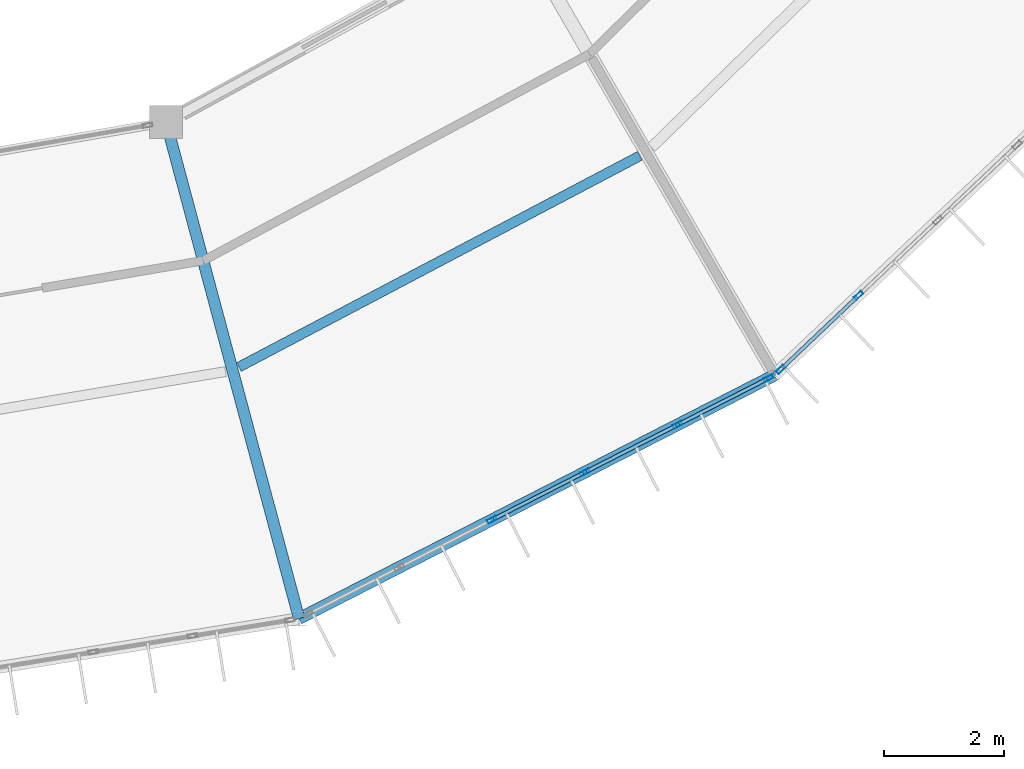
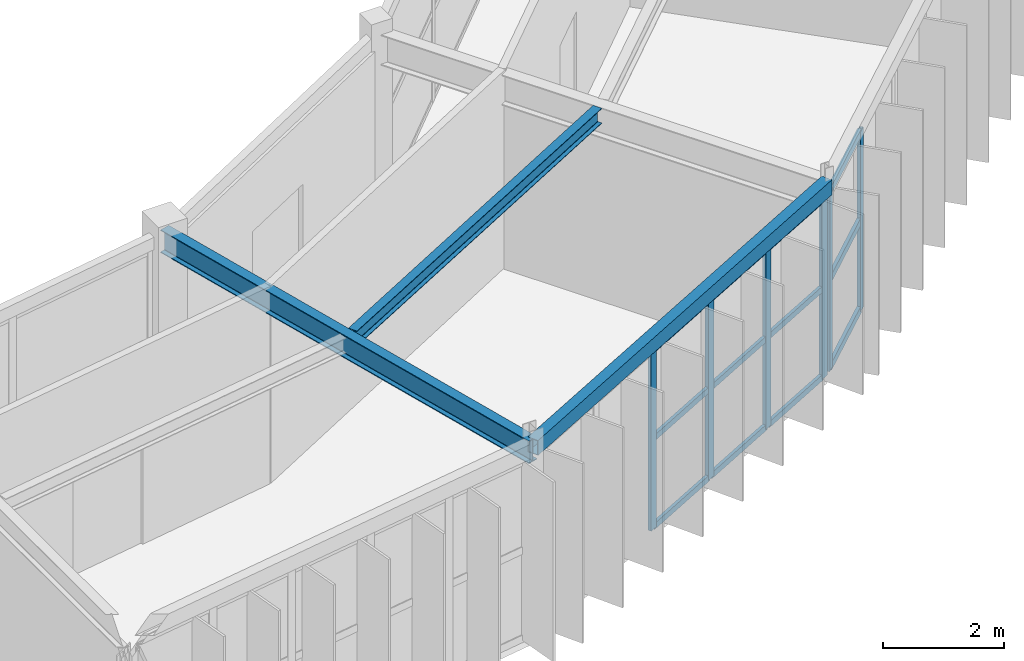
# One storey, part 45 of 134: 18 members, 3 beams, 2 elements without a shape of their own.
"""IFC4 building model written with IfcOpenShell, lengths in metres."""

from ifc_helpers import new_model, si_unit, direction, frame, origin, origin_2d, place, context, subcontext, project, spatial, hollow_rectangle, i_section, extrude, material, material_profile, profile_set, type_object, element, aggregate, save


model = new_model("IFC4")

# Units and contexts
model_context = context("Model", 3, precision=1e-05, world=origin(), true_north=direction((0.0, 1.0)))
body_context = subcontext(model_context, "Body", "Model", "MODEL_VIEW")
ifc_project = project(units=[si_unit("LENGTHUNIT", "METRE"), si_unit("AREAUNIT", "SQUARE_METRE"), si_unit("VOLUMEUNIT", "CUBIC_METRE"), si_unit("PLANEANGLEUNIT", "RADIAN"), si_unit("MASSUNIT", "GRAM", prefix="KILO")], contexts=[model_context])

# Site, building, storey
site_placement = place(None, origin())
site = spatial("IfcSite", under=ifc_project, at=site_placement, CompositionType="ELEMENT")
building_placement = place(site_placement, origin())
building = spatial("IfcBuilding", under=site, at=building_placement, Name="Karori Crest Natural Sciences Institute", CompositionType="ELEMENT")
storey_placement = place(building_placement, frame((0.0, 0.0, 21.699951171875)))
storey = spatial("IfcBuildingStorey", under=building, at=storey_placement, Name="L05", CompositionType="ELEMENT", Elevation=21.699951171875)

# Beams
ifc_material_1 = material(Name="Structural steel AS/NZS 3679.1 Grade 350", Category="steel")
ifc_material_profile_1 = material_profile(ifc_material_1, i_section(OverallWidth=0.19091796875, OverallDepth=0.4599609375, WebThickness=0.010009765625, FlangeThickness=0.01611328125, FilletRadius=0.010986328125, at=origin_2d()), Name="460UB82.1")
ifc_profile_set_1 = profile_set([ifc_material_profile_1], Name="Structural steel AS/NZS 3679.1 Grade 350")
beam_type_1 = type_object("IfcBeamType", Name="BT-06", PredefinedType="BEAM", material=ifc_profile_set_1)
beam_1_placement = place(storey_placement, frame((72.715087890625, 18.797119140625, 3.7099609375), z_axis=(0.258819806009, -0.965925622404, 0.0), x_axis=(0.965925622404, 0.258819806009, 0.0)))
element("IfcBeam", 1, at=beam_1_placement, inside=storey, type_object=beam_type_1, Name="Beam B-0602", PredefinedType="BEAM", context=body_context, shape_type="SweptSolid", body=[
    extrude(i_section(OverallWidth=0.19091796875, OverallDepth=0.4599609375, WebThickness=0.010009765625, FlangeThickness=0.01611328125, FilletRadius=0.010986328125, at=origin_2d()), origin(), (0.0, 0.0, 1.0), 8.599853515625),
])
ifc_material_profile_2 = material_profile(ifc_material_1, i_section(OverallWidth=0.166015625, OverallDepth=0.306884765625, WebThickness=0.006591796875, FlangeThickness=0.01171875, FilletRadius=0.010986328125, at=origin_2d()), Name="310UB46.2")
ifc_profile_set_2 = profile_set([ifc_material_profile_2], Name="Structural steel AS/NZS 3679.1 Grade 350")
beam_type_2 = type_object("IfcBeamType", Name="BT-09", PredefinedType="BEAM", material=ifc_profile_set_2)
beam_2_placement = place(storey_placement, frame((73.934326171875, 14.69970703125, 3.78662109375), z_axis=(0.884748465601, 0.466068828197, 0.0), x_axis=(-0.466068828197, 0.884748465601, 0.0)))
element("IfcBeam", 2, at=beam_2_placement, inside=storey, type_object=beam_type_2, Name="Beam B-0603", PredefinedType="BEAM", context=body_context, shape_type="SweptSolid", body=[
    extrude(i_section(OverallWidth=0.166015625, OverallDepth=0.306884765625, WebThickness=0.006591796875, FlangeThickness=0.01171875, FilletRadius=0.010986328125, at=origin_2d()), origin(), (0.0, 0.0, 1.0), 7.58349609375),
])
ifc_material_2 = material(Name="Hollow structural steel AS/NZS 1163 Grade C350", Category="steel")
ifc_material_profile_3 = material_profile(ifc_material_2, hollow_rectangle(XDim=0.199951171875, YDim=0.300048828125, WallThickness=0.010009765625, at=origin_2d()), Name="RHS300x200x10")
ifc_profile_set_3 = profile_set([ifc_material_profile_3], Name="Hollow structural steel AS/NZS 1163 Grade C350")
beam_type_3 = type_object("IfcBeamType", Name="BT-15", PredefinedType="SPANDREL", material=ifc_profile_set_3)
beam_3_placement = place(storey_placement, frame((74.94091796875, 10.490234375, 3.7900390625), z_axis=(0.890071733872, 0.455820478436, 0.0), x_axis=(-0.455820478436, 0.890071733872, 0.0)))
element("IfcBeam", 3, at=beam_3_placement, inside=storey, type_object=beam_type_3, Name="Beam B-0600", PredefinedType="SPANDREL", context=body_context, shape_type="SweptSolid", body=[
    extrude(hollow_rectangle(XDim=0.199951171875, YDim=0.300048828125, WallThickness=0.010009765625, at=origin_2d()), origin(), (0.0, 0.0, 1.0), 8.94189453125),
])

# Curtain wall, members
ifc_material_3 = material(Name="Anodised architectural aluminium 6063-T6", Category="aluminium")
curtain_wall_type_1 = type_object("IfcCurtainWallType", Name="CWT-10", PredefinedType="NOTDEFINED", material=ifc_material_3)
curtain_wall_1_placement = place(storey_placement, origin())
curtain_wall_1 = element("IfcCurtainWall", 4, at=curtain_wall_1_placement, inside=storey, type_object=curtain_wall_type_1, Name="Curtain wall CW-0201", PredefinedType="NOTDEFINED")
ifc_material_profile_4 = material_profile(ifc_material_3, hollow_rectangle(XDim=0.06494140625, YDim=0.159912109375, WallThickness=0.00390625, at=origin_2d()), Name="CWM160x65x4")
ifc_profile_set_4 = profile_set([ifc_material_profile_4], Name="Anodised architectural aluminium 6063-T6")
member_type_1 = type_object("IfcMemberType", Name="CWM-01", PredefinedType="MULLION", material=ifc_profile_set_4)
member_1_placement = place(storey_placement, frame((82.7958984375, 14.512939453125, 0.0), z_axis=(0.0, 0.0, 1.0), x_axis=(0.455828878252, -0.890067432138, 0.0)))
member_1 = element("IfcMember", 5, at=member_1_placement, type_object=member_type_1, Name="CW-0201 mullion 1", PredefinedType="MULLION", context=body_context, shape_type="SweptSolid", body=[
    extrude(hollow_rectangle(XDim=0.06494140625, YDim=0.159912109375, WallThickness=0.00390625, at=origin_2d()), origin(), (0.0, 0.0, 1.0), 3.625),
])
member_2_placement = place(storey_placement, frame((81.273193359375, 13.73291015625, 0.0), z_axis=(0.0, 0.0, 1.0), x_axis=(0.455828878252, -0.890067432138, 0.0)))
member_2 = element("IfcMember", 6, at=member_2_placement, type_object=member_type_1, Name="CW-0201 mullion 2", PredefinedType="MULLION", context=body_context, shape_type="SweptSolid", body=[
    extrude(hollow_rectangle(XDim=0.06494140625, YDim=0.159912109375, WallThickness=0.00390625, at=origin_2d()), origin(), (0.0, 0.0, 1.0), 3.625),
])
member_3_placement = place(storey_placement, frame((79.721435546875, 12.938232421875, 0.0), z_axis=(0.0, 0.0, 1.0), x_axis=(0.455828878252, -0.890067432138, 0.0)))
member_3 = element("IfcMember", 7, at=member_3_placement, type_object=member_type_1, Name="CW-0201 mullion 3", PredefinedType="MULLION", context=body_context, shape_type="SweptSolid", body=[
    extrude(hollow_rectangle(XDim=0.06494140625, YDim=0.159912109375, WallThickness=0.00390625, at=origin_2d()), origin(), (0.0, 0.0, 1.0), 3.625),
])
member_4_placement = place(storey_placement, frame((78.169677734375, 12.1435546875, 0.0), z_axis=(0.0, 0.0, 1.0), x_axis=(0.455828878252, -0.890067432138, 0.0)))
member_4 = element("IfcMember", 8, at=member_4_placement, type_object=member_type_1, Name="CW-0201 mullion 4", PredefinedType="MULLION", context=body_context, shape_type="SweptSolid", body=[
    extrude(hollow_rectangle(XDim=0.06494140625, YDim=0.159912109375, WallThickness=0.00390625, at=origin_2d()), origin(), (0.0, 0.0, 1.0), 3.625),
])

curtain_wall_type_2 = type_object("IfcCurtainWallType", Name="CWT-01", PredefinedType="NOTDEFINED", material=ifc_material_3)
curtain_wall_2_placement = place(storey_placement, origin())
curtain_wall_2 = element("IfcCurtainWall", 9, at=curtain_wall_2_placement, inside=storey, type_object=curtain_wall_type_2, Name="Curtain wall CW-0202", PredefinedType="NOTDEFINED")
member_5_placement = place(storey_placement, frame((84.302001953125, 15.896240234375, 0.0), z_axis=(0.0, 0.0, 1.0), x_axis=(0.688250542104, -0.725473081026, 0.0)))
member_5 = element("IfcMember", 10, at=member_5_placement, type_object=member_type_1, Name="CW-0202 mullion 5", PredefinedType="MULLION", context=body_context, shape_type="SweptSolid", body=[
    extrude(hollow_rectangle(XDim=0.06494140625, YDim=0.159912109375, WallThickness=0.00390625, at=origin_2d()), origin(), (0.0, 0.0, 1.0), 3.625),
])
member_6_placement = place(storey_placement, frame((82.9990234375, 14.66015625, 0.0), z_axis=(0.0, 0.0, 1.0), x_axis=(0.688250542104, -0.725473081026, 0.0)))
member_6 = element("IfcMember", 11, at=member_6_placement, type_object=member_type_1, Name="CW-0202 mullion 6", PredefinedType="MULLION", context=body_context, shape_type="SweptSolid", body=[
    extrude(hollow_rectangle(XDim=0.06494140625, YDim=0.159912109375, WallThickness=0.00390625, at=origin_2d()), origin(), (0.0, 0.0, 1.0), 3.625),
])

# Member
ifc_material_profile_5 = material_profile(ifc_material_3, hollow_rectangle(XDim=0.06005859375, YDim=0.1201171875, WallThickness=0.00390625, at=origin_2d()), Name="CWT120x60x4")
ifc_profile_set_5 = profile_set([ifc_material_profile_5], Name="Anodised architectural aluminium 6063-T6")
member_type_2 = type_object("IfcMemberType", Name="CWT-TR1", PredefinedType="USERDEFINED", material=ifc_profile_set_5)
member_7_placement = place(storey_placement, frame((82.766845703125, 14.498046875, 0.030029296875), z_axis=(-0.890053640935, -0.455855806432, 0.0), x_axis=(0.455855806432, -0.890053640935, 0.0)))
member_7 = element("IfcMember", 12, at=member_7_placement, type_object=member_type_2, Name="CW-0201 transom 1.1", ObjectType="TRANSOM", PredefinedType="USERDEFINED", context=body_context, shape_type="SweptSolid", body=[
    extrude(hollow_rectangle(XDim=0.06005859375, YDim=0.1201171875, WallThickness=0.00390625, at=origin_2d()), origin(), (0.0, 0.0, 1.0), 1.645751953125),
])

member_8_placement = place(storey_placement, frame((82.766845703125, 14.498046875, 1.8125), z_axis=(-0.890053640935, -0.455855806432, 0.0), x_axis=(0.455855806432, -0.890053640935, 0.0)))
member_8 = element("IfcMember", 13, at=member_8_placement, type_object=member_type_2, Name="CW-0201 transom 1.2", ObjectType="TRANSOM", PredefinedType="USERDEFINED", context=body_context, shape_type="SweptSolid", body=[
    extrude(hollow_rectangle(XDim=0.06005859375, YDim=0.1201171875, WallThickness=0.00390625, at=origin_2d()), origin(), (0.0, 0.0, 1.0), 1.645751953125),
])

member_9_placement = place(storey_placement, frame((82.766845703125, 14.498046875, 3.594970703125), z_axis=(-0.890053640935, -0.455855806432, 0.0), x_axis=(0.455855806432, -0.890053640935, 0.0)))
member_9 = element("IfcMember", 14, at=member_9_placement, type_object=member_type_2, Name="CW-0201 transom 1.3", ObjectType="TRANSOM", PredefinedType="USERDEFINED", context=body_context, shape_type="SweptSolid", body=[
    extrude(hollow_rectangle(XDim=0.06005859375, YDim=0.1201171875, WallThickness=0.00390625, at=origin_2d()), origin(), (0.0, 0.0, 1.0), 1.645751953125),
])

member_10_placement = place(storey_placement, frame((81.244140625, 13.71826171875, 0.030029296875), z_axis=(-0.890050562189, -0.455861817601, 0.0), x_axis=(0.455861817601, -0.890050562189, 0.0)))
member_10 = element("IfcMember", 15, at=member_10_placement, type_object=member_type_2, Name="CW-0201 transom 2.1", ObjectType="TRANSOM", PredefinedType="USERDEFINED", context=body_context, shape_type="SweptSolid", body=[
    extrude(hollow_rectangle(XDim=0.06005859375, YDim=0.1201171875, WallThickness=0.00390625, at=origin_2d()), origin(), (0.0, 0.0, 1.0), 1.678466796875),
])

member_11_placement = place(storey_placement, frame((81.244140625, 13.71826171875, 1.8125), z_axis=(-0.890050562189, -0.455861817601, 0.0), x_axis=(0.455861817601, -0.890050562189, 0.0)))
member_11 = element("IfcMember", 16, at=member_11_placement, type_object=member_type_2, Name="CW-0201 transom 2.2", ObjectType="TRANSOM", PredefinedType="USERDEFINED", context=body_context, shape_type="SweptSolid", body=[
    extrude(hollow_rectangle(XDim=0.06005859375, YDim=0.1201171875, WallThickness=0.00390625, at=origin_2d()), origin(), (0.0, 0.0, 1.0), 1.678466796875),
])

member_12_placement = place(storey_placement, frame((81.244140625, 13.71826171875, 3.594970703125), z_axis=(-0.890050562189, -0.455861817601, 0.0), x_axis=(0.455861817601, -0.890050562189, 0.0)))
member_12 = element("IfcMember", 17, at=member_12_placement, type_object=member_type_2, Name="CW-0201 transom 2.3", ObjectType="TRANSOM", PredefinedType="USERDEFINED", context=body_context, shape_type="SweptSolid", body=[
    extrude(hollow_rectangle(XDim=0.06005859375, YDim=0.1201171875, WallThickness=0.00390625, at=origin_2d()), origin(), (0.0, 0.0, 1.0), 1.678466796875),
])

member_13_placement = place(storey_placement, frame((79.6923828125, 12.923583984375, 0.030029296875), z_axis=(-0.890050562189, -0.455861817601, 0.0), x_axis=(0.455861817601, -0.890050562189, 0.0)))
member_13 = element("IfcMember", 18, at=member_13_placement, type_object=member_type_2, Name="CW-0201 transom 3.1", ObjectType="TRANSOM", PredefinedType="USERDEFINED", context=body_context, shape_type="SweptSolid", body=[
    extrude(hollow_rectangle(XDim=0.06005859375, YDim=0.1201171875, WallThickness=0.00390625, at=origin_2d()), origin(), (0.0, 0.0, 1.0), 1.678466796875),
])

member_14_placement = place(storey_placement, frame((79.6923828125, 12.923583984375, 1.8125), z_axis=(-0.890050562189, -0.455861817601, 0.0), x_axis=(0.455861817601, -0.890050562189, 0.0)))
member_14 = element("IfcMember", 19, at=member_14_placement, type_object=member_type_2, Name="CW-0201 transom 3.2", ObjectType="TRANSOM", PredefinedType="USERDEFINED", context=body_context, shape_type="SweptSolid", body=[
    extrude(hollow_rectangle(XDim=0.06005859375, YDim=0.1201171875, WallThickness=0.00390625, at=origin_2d()), origin(), (0.0, 0.0, 1.0), 1.678466796875),
])

member_15_placement = place(storey_placement, frame((79.6923828125, 12.923583984375, 3.594970703125), z_axis=(-0.890050562189, -0.455861817601, 0.0), x_axis=(0.455861817601, -0.890050562189, 0.0)))
member_15 = element("IfcMember", 20, at=member_15_placement, type_object=member_type_2, Name="CW-0201 transom 3.3", ObjectType="TRANSOM", PredefinedType="USERDEFINED", context=body_context, shape_type="SweptSolid", body=[
    extrude(hollow_rectangle(XDim=0.06005859375, YDim=0.1201171875, WallThickness=0.00390625, at=origin_2d()), origin(), (0.0, 0.0, 1.0), 1.678466796875),
])

aggregate(curtain_wall_1, [member_1, member_2, member_3, member_4, member_7, member_8, member_9, member_10, member_11, member_12, member_13, member_14, member_15])

ifc_material_profile_6 = material_profile(ifc_material_3, hollow_rectangle(XDim=0.06494140625, YDim=0.14990234375, WallThickness=0.00390625, at=origin_2d()), Name="CWT150x65x4")
ifc_profile_set_6 = profile_set([ifc_material_profile_6], Name="Anodised architectural aluminium 6063-T6")
member_type_3 = type_object("IfcMemberType", Name="CWT-TR2", PredefinedType="USERDEFINED", material=ifc_profile_set_6)
member_16_placement = place(storey_placement, frame((84.2783203125, 15.873779296875, 0.032470703125), z_axis=(-0.725481758098, -0.688241395636, 0.0), x_axis=(0.688241395636, -0.725481758098, 0.0)))
member_16 = element("IfcMember", 21, at=member_16_placement, type_object=member_type_3, Name="CW-0202 transom 5.1", ObjectType="TRANSOM", PredefinedType="USERDEFINED", context=body_context, shape_type="SweptSolid", body=[
    extrude(hollow_rectangle(XDim=0.06494140625, YDim=0.14990234375, WallThickness=0.00390625, at=origin_2d()), origin(), (0.0, 0.0, 1.0), 1.730712890625),
])

member_17_placement = place(storey_placement, frame((84.2783203125, 15.873779296875, 1.8125), z_axis=(-0.725481758098, -0.688241395636, 0.0), x_axis=(0.688241395636, -0.725481758098, 0.0)))
member_17 = element("IfcMember", 22, at=member_17_placement, type_object=member_type_3, Name="CW-0202 transom 5.2", ObjectType="TRANSOM", PredefinedType="USERDEFINED", context=body_context, shape_type="SweptSolid", body=[
    extrude(hollow_rectangle(XDim=0.06494140625, YDim=0.14990234375, WallThickness=0.00390625, at=origin_2d()), origin(), (0.0, 0.0, 1.0), 1.730712890625),
])

member_18_placement = place(storey_placement, frame((84.2783203125, 15.873779296875, 3.592529296875), z_axis=(-0.725481758098, -0.688241395636, 0.0), x_axis=(0.688241395636, -0.725481758098, 0.0)))
member_18 = element("IfcMember", 23, at=member_18_placement, type_object=member_type_3, Name="CW-0202 transom 5.3", ObjectType="TRANSOM", PredefinedType="USERDEFINED", context=body_context, shape_type="SweptSolid", body=[
    extrude(hollow_rectangle(XDim=0.06494140625, YDim=0.14990234375, WallThickness=0.00390625, at=origin_2d()), origin(), (0.0, 0.0, 1.0), 1.730712890625),
])

aggregate(curtain_wall_2, [member_5, member_6, member_16, member_17, member_18])

save(model, "model.ifc")
